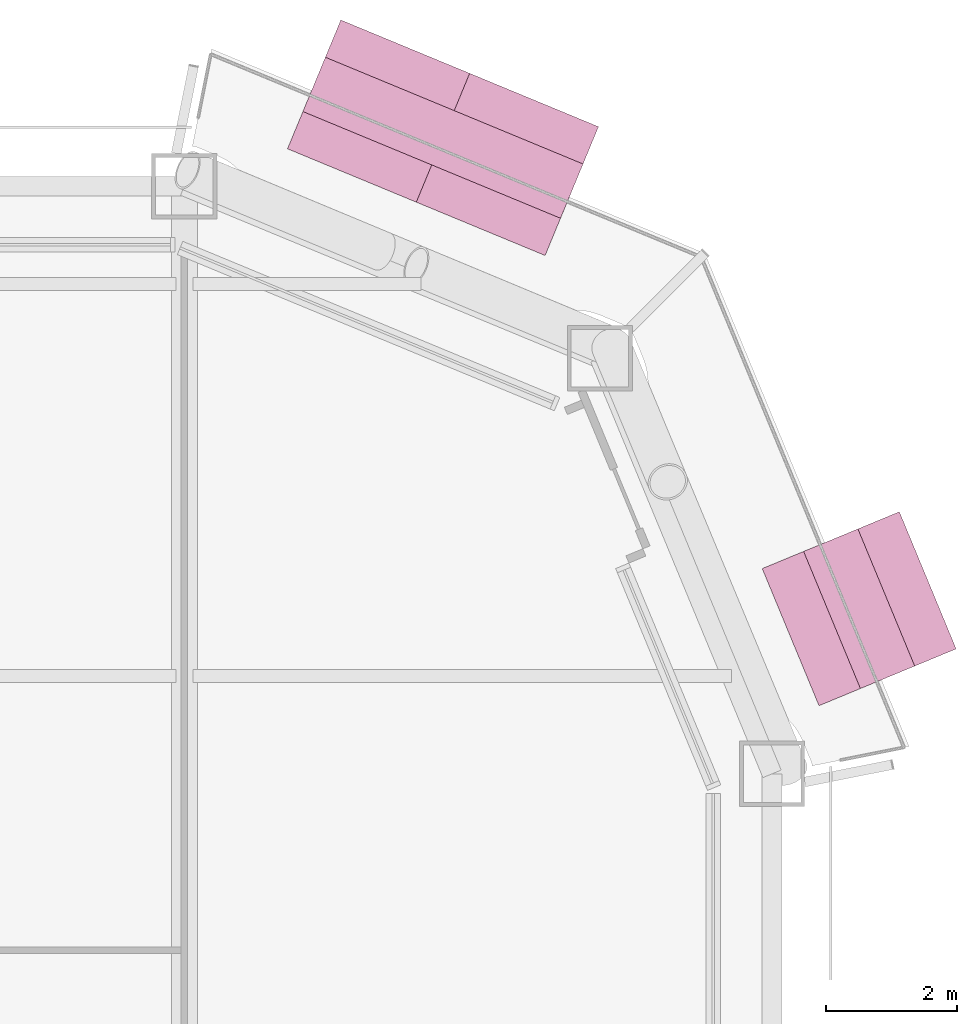
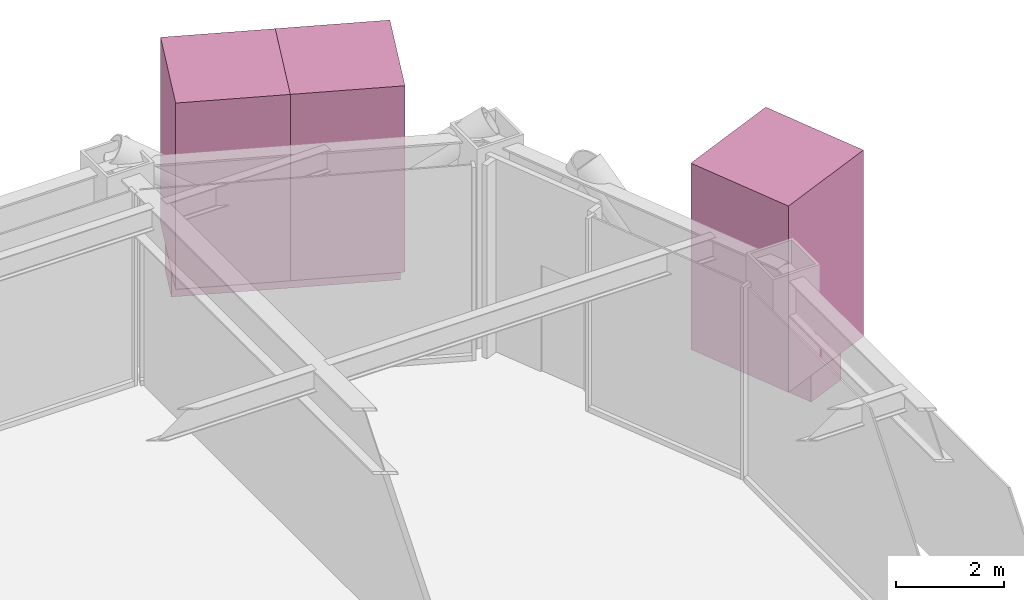
# One storey, part 30 of 30: 5 furnishings.
"""IFC4 building model written with IfcOpenShell, lengths in metres."""

from ifc_helpers import new_model, si_unit, direction, frame, origin, origin_2d, place, context, subcontext, project, spatial, rectangle, extrude, material, type_object, element, save


model = new_model("IFC4")

# Units and contexts
model_context = context("Model", 3, precision=1e-05, world=origin(), true_north=direction((0.0, 1.0)))
body_context = subcontext(model_context, "Body", "Model", "MODEL_VIEW")
ifc_project = project(units=[si_unit("LENGTHUNIT", "METRE"), si_unit("AREAUNIT", "SQUARE_METRE"), si_unit("VOLUMEUNIT", "CUBIC_METRE"), si_unit("PLANEANGLEUNIT", "RADIAN"), si_unit("MASSUNIT", "GRAM", prefix="KILO")], contexts=[model_context])

# Site, building, storey
site_placement = place(None, origin())
site = spatial("IfcSite", under=ifc_project, at=site_placement, CompositionType="ELEMENT")
building_placement = place(site_placement, origin())
building = spatial("IfcBuilding", under=site, at=building_placement, Name="Siwar Civic Tower", CompositionType="ELEMENT")
storey_placement = place(building_placement, frame((0.0, 0.0, 62.699951171875)))
storey = spatial("IfcBuildingStorey", under=building, at=storey_placement, Name="L13", CompositionType="ELEMENT", Elevation=62.699951171875)

# Furnishings
ifc_material_1 = material(Name="Planting soil and foliage")
furnishing_element_type_1 = type_object("IfcFurnishingElementType", Name="ENV-PLANTER", material=ifc_material_1)
furnishing_1_placement = place(storey_placement, frame((32.833984375, 25.0283203125, 0.0), z_axis=(0.0, 0.0, 1.0), x_axis=(-0.382683432365, 0.923879532511, 0.0)))
element("IfcFurnishingElement", 1, at=furnishing_1_placement, inside=storey, type_object=furnishing_element_type_1, Name="PLANTER NE 1", context=body_context, shape_type="SweptSolid", body=[
    extrude(rectangle(XDim=2.273193359375, YDim=0.89990234375, at=origin_2d()), origin(), (0.0, 0.0, 1.0), 0.60009765625),
])
furnishing_2_placement = place(storey_placement, frame((26.460205078125, 32.240966796875, 0.0), z_axis=(0.0, 0.0, 1.0), x_axis=(-0.923879532511, 0.382683432365, 0.0)))
element("IfcFurnishingElement", 2, at=furnishing_2_placement, inside=storey, type_object=furnishing_element_type_1, Name="PLANTER NE 2", context=body_context, shape_type="SweptSolid", body=[
    extrude(rectangle(XDim=4.270751953125, YDim=0.89990234375, at=origin_2d()), origin(), (0.0, 0.0, 1.0), 0.60009765625),
])
ifc_material_2 = material(Name="Planting soil and foliage")
furnishing_element_type_2 = type_object("IfcFurnishingElementType", Name="ENV-TREE", material=ifc_material_2)
furnishing_3_placement = place(storey_placement, frame((32.833984375, 25.0283203125, 0.60009765625), z_axis=(0.0, 0.0, 1.0), x_axis=(-0.382683432365, 0.923879532511, 0.0)))
element("IfcFurnishingElement", 3, at=furnishing_3_placement, inside=storey, type_object=furnishing_element_type_2, Name="PLANTER (TREE) NE 1.1", context=body_context, shape_type="SweptSolid", body=[
    extrude(rectangle(XDim=2.273193359375, YDim=2.273193359375, at=origin_2d()), origin(), (0.0, 0.0, 1.0), 4.199951171875),
])
for number, where, z_axis, x_axis, name in (
    (4, (27.44677734375, 31.832275390625, 0.60009765625), (0.0, 0.0, 1.0), (-0.923879532511, 0.382683432365, 0.0), "PLANTER (TREE) NE 2.1"),
    (5, (25.473876953125, 32.6494140625, 0.60009765625), (0.0, 0.0, 1.0), (-0.923879532511, 0.382683432365, 0.0), "PLANTER (TREE) NE 2.2"),
):
    element("IfcFurnishingElement", number, at=place(storey_placement, frame(where, z_axis=z_axis, x_axis=x_axis)), inside=storey, type_object=furnishing_element_type_2, Name=name, context=body_context, shape_type="SweptSolid", body=[
        extrude(rectangle(XDim=2.13525390625, YDim=2.13525390625, at=origin_2d()), origin(), (0.0, 0.0, 1.0), 4.199951171875),
    ])

save(model, "model.ifc")
